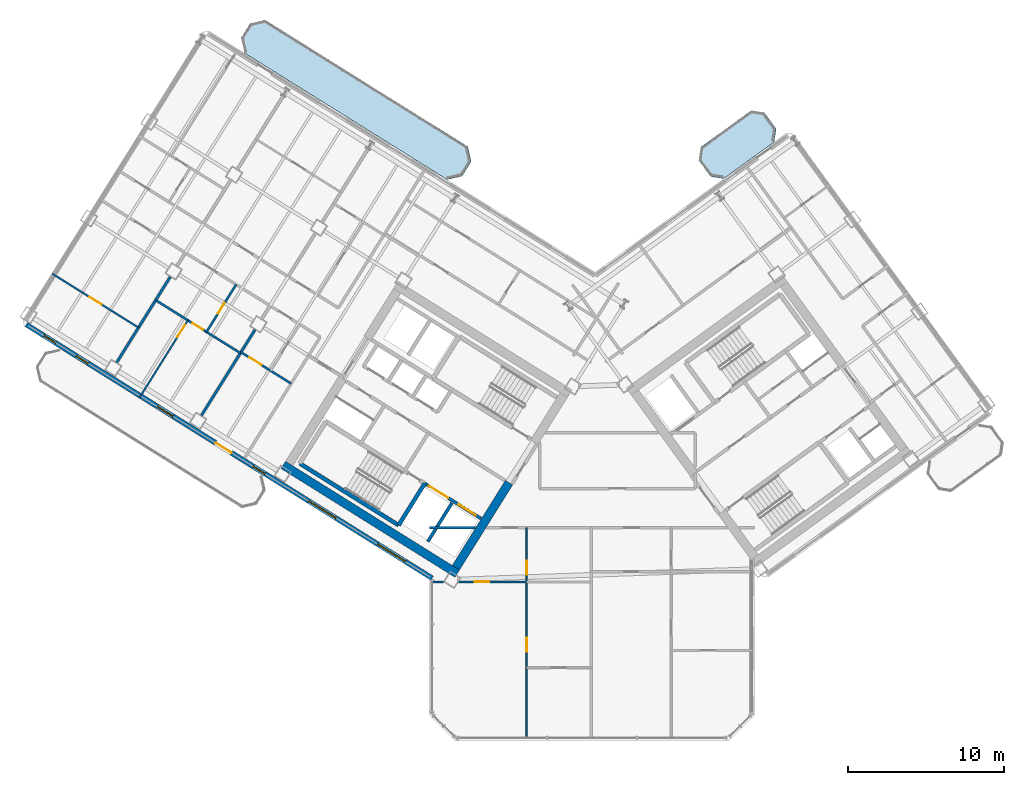
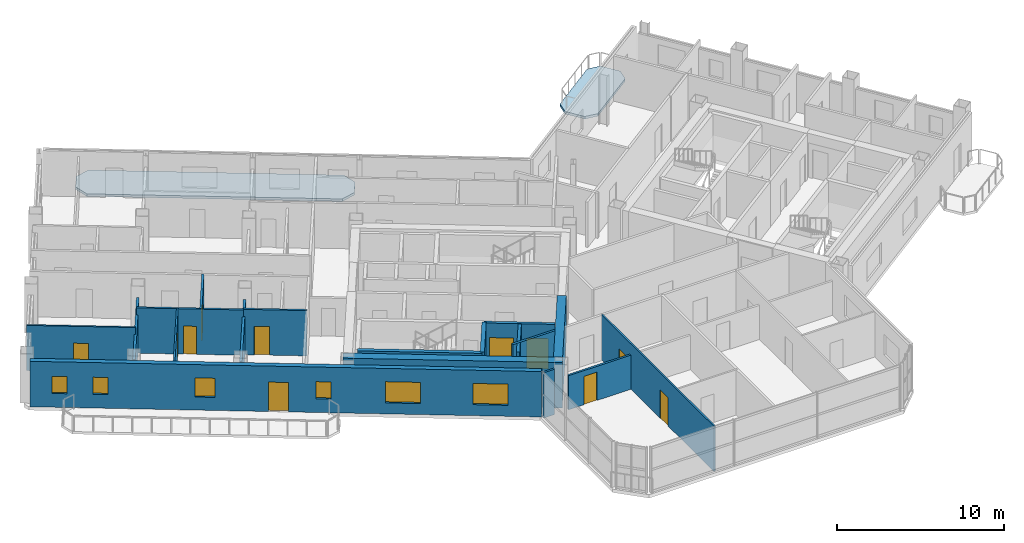
# One storey, part 11 of 21: 18 walls, 11 doors, 6 windows, 2 slabs, 17 openings.
"""IFC4 building model written with IfcOpenShell, lengths in metres."""

from ifc_helpers import new_model, si_unit, direction, frame, frame_2d, origin, place, context, subcontext, project, spatial, polyline, rectangle, outline, extrude, source, transform, mapped, material, layer, layer_set, type_object, element, fill, save


model = new_model("IFC4")

# Units and contexts
model_context = context("Model", 3, precision=1e-05, world=origin(), true_north=direction((0.0, 1.0)))
body_context = subcontext(model_context, "Body", "Model", "MODEL_VIEW")
ifc_project = project(units=[si_unit("LENGTHUNIT", "METRE"), si_unit("AREAUNIT", "SQUARE_METRE"), si_unit("VOLUMEUNIT", "CUBIC_METRE"), si_unit("PLANEANGLEUNIT", "RADIAN"), si_unit("MASSUNIT", "GRAM", prefix="KILO")], contexts=[model_context])

# Site, building, storey
site_placement = place(None, origin())
site = spatial("IfcSite", under=ifc_project, at=site_placement, CompositionType="ELEMENT")
building_placement = place(site_placement, origin())
building = spatial("IfcBuilding", under=site, at=building_placement, Name="Tlacorven Tower", CompositionType="ELEMENT")
storey_placement = place(building_placement, frame((0.0, 0.0, 191.39990234375)))
storey = spatial("IfcBuildingStorey", under=building, at=storey_placement, Name="L48", CompositionType="ELEMENT", Elevation=191.39990234375)

# Slabs
ifc_material_1 = material(Name="Precast concrete C45/55", Category="concrete")
ifc_layer_1 = layer(ifc_material_1, 0.179931640625)
ifc_layer_set_1 = layer_set([ifc_layer_1], Name="Precast concrete C45/55")
slab_type = type_object("IfcSlabType", Name="SL-BAL-180", PredefinedType="USERDEFINED", material=ifc_layer_set_1)
slab_1_placement = place(storey_placement, frame((0.0, 0.0, -0.179931640625)))
element("IfcSlab", 1, at=slab_1_placement, inside=storey, type_object=slab_type, Name="L48 West Wing Balcony Ribbon IN", ObjectType="BALCONY SLAB", PredefinedType="USERDEFINED", context=body_context, shape_type="SweptSolid", body=[
    extrude(outline(polyline([(34.0419921875, 39.835693359375), (21.06689453125, 47.943359375), (20.102294921875, 47.720703125), (19.52197265625, 46.7919921875), (19.744873046875, 45.827392578125), (32.719970703125, 37.7197265625), (33.6845703125, 37.9423828125), (34.2646484375, 38.87109375), (34.0419921875, 39.835693359375)])), origin(), (0.0, 0.0, 1.0), 0.179931640625),
])
slab_2_placement = place(storey_placement, frame((0.0, 0.0, -0.179931640625)))
element("IfcSlab", 2, at=slab_2_placement, inside=storey, type_object=slab_type, Name="L48 East Wing Balcony Ribbon IN", ObjectType="BALCONY SLAB", PredefinedType="USERDEFINED", context=body_context, shape_type="SweptSolid", body=[
    extrude(outline(polyline([(50.433837890625, 37.77880859375), (53.669921875, 40.1298828125), (53.802490234375, 40.968017578125), (53.04150390625, 42.015625), (52.203369140625, 42.1484375), (48.96728515625, 39.79736328125), (48.83447265625, 38.959228515625), (49.595703125, 37.91162109375), (50.433837890625, 37.77880859375)])), origin(), (0.0, 0.0, 1.0), 0.179931640625),
])

# Walls
ifc_material_2 = material(Name="Concrete C60/75", Category="concrete")
ifc_layer_2 = layer(ifc_material_2, 0.550048828125)
ifc_layer_set_2 = layer_set([ifc_layer_2], Name="Concrete C60/75")
wall_type_1 = type_object("IfcWallType", Name="WL-COR-550", PredefinedType="SHEAR", material=ifc_layer_set_2)
wall_1_placement = place(storey_placement, frame((33.3662109375, 12.4765625, 0.0), z_axis=(0.0, 0.0, 1.0), x_axis=(-0.848047359947, 0.529920442413, 0.0)))
element("IfcWall", 3, at=wall_1_placement, inside=storey, type_object=wall_type_1, Name="L48 W core shear wall S2", PredefinedType="SHEAR", context=body_context, shape_type="SweptSolid", body=[
    extrude(rectangle(XDim=13.139892578125, YDim=0.550048828125, at=frame_2d((6.56982421875, 0.0))), origin(), (0.0, 0.0, 1.0), 3.320068359375),
])
wall_2_placement = place(storey_placement, frame((36.683349609375, 18.30419921875, 0.0), z_axis=(0.0, 0.0, 1.0), x_axis=(-0.529896466841, -0.848062341122, 0.0)))
element("IfcWall", 4, at=wall_2_placement, inside=storey, type_object=wall_type_1, Name="L48 W core end wall E1.2", PredefinedType="SHEAR", context=body_context, shape_type="SweptSolid", body=[
    extrude(rectangle(XDim=6.4248046875, YDim=0.550048828125, at=frame_2d((3.21240234375, 0.0))), origin(), (0.0, 0.0, 1.0), 3.320068359375),
])
ifc_material_3 = material(Name="Gypsum plasterboard acoustic partition", Category="gypsum")
ifc_layer_3 = layer(ifc_material_3, 0.159912109375)
ifc_layer_set_3 = layer_set([ifc_layer_3], Name="Gypsum plasterboard acoustic partition")
wall_type_2 = type_object("IfcWallType", Name="WL-DEM-160", PredefinedType="PARTITIONING", material=ifc_layer_set_3)
wall_3_placement = place(storey_placement, frame((20.413818359375, 28.102783203125, 0.0), z_axis=(0.0, 0.0, 1.0), x_axis=(-0.529934553702, -0.848038542045, 0.0)))
element("IfcWall", 5, at=wall_3_placement, inside=storey, type_object=wall_type_2, Name="L48 WN Demising Wall 1", PredefinedType="PARTITIONING", context=body_context, shape_type="SweptSolid", body=[
    extrude(rectangle(XDim=6.47607421875, YDim=0.159912109375, at=frame_2d((3.238037109375, 0.0))), origin(), (0.0, 0.0, 1.0), 2.795166015625),
])
wall_4_placement = place(storey_placement, frame((14.986083984375, 31.494140625, 0.0), z_axis=(0.0, 0.0, 1.0), x_axis=(-0.529907440938, -0.848055484057, 0.0)))
element("IfcWall", 6, at=wall_4_placement, inside=storey, type_object=wall_type_2, Name="L48 WN Demising Wall 2", PredefinedType="PARTITIONING", context=body_context, shape_type="SweptSolid", body=[
    extrude(rectangle(XDim=6.475830078125, YDim=0.159912109375, at=frame_2d((3.23779296875, 0.0))), origin(), (0.0, 0.0, 1.0), 2.795166015625),
])
wall_5_placement = place(storey_placement, frame((31.60009765625, 15.419921875, 0.0), z_axis=(0.0, 0.0, 1.0), x_axis=(1.0, 0.0, 0.0)))
element("IfcWall", 7, at=wall_5_placement, inside=storey, type_object=wall_type_2, Name="L48 Knuckle Corridor South Wall", PredefinedType="PARTITIONING", context=body_context, shape_type="SweptSolid", body=[
    extrude(rectangle(XDim=2.925048828125, YDim=0.159912109375, at=frame_2d((1.46240234375, 0.0))), origin(), (0.0, 0.0, 1.0), 3.31005859375),
])

# Wall, openings, door, windows
ifc_layer_4 = layer(ifc_material_1, 0.320068359375)
ifc_layer_set_4 = layer_set([ifc_layer_4], Name="Precast concrete C45/55")
wall_type_3 = type_object("IfcWallType", Name="WL-EXT-320", PredefinedType="STANDARD", material=ifc_layer_set_4)
wall_6_placement = place(storey_placement, frame((31.760009765625, 12.18310546875, 0.0), z_axis=(0.0, 0.0, 1.0), x_axis=(-0.848047074256, 0.529920899612, 0.0)))
wall_6 = element("IfcWall", 8, at=wall_6_placement, inside=storey, type_object=wall_type_3, Name="L48 Masonry-Frame Recessed Facade Wall 1", PredefinedType="STANDARD", context=body_context, shape_type="SweptSolid", body=[
    extrude(rectangle(XDim=30.652099609375, YDim=0.320068359375, at=frame_2d((15.326171875, 0.0))), origin(), (0.0, 0.0, 1.0), 3.320068359375),
])
opening_1_placement = place(wall_6_placement, frame((15.165771484375, 0.0, 0.0)))
opening_1 = element("IfcOpeningElement", 9, at=opening_1_placement, cuts=wall_6, Name="Opening D05", PredefinedType="OPENING", context=body_context, shape_type="SweptSolid", body=[
    extrude(rectangle(XDim=1.199951171875, YDim=2.14990234375, at=frame_2d((0.60009765625, 1.074951171875))), frame((0.0, 0.169921875, 0.0), z_axis=(0.0, -1.0, 0.0), x_axis=(1.0, 0.0, 0.0)), (0.0, 0.0, 1.0), 0.340087890625),
])
opening_2_placement = place(wall_6_placement, frame((2.0146484375, 0.0, 0.800048828125)))
opening_2 = element("IfcOpeningElement", 10, at=opening_2_placement, cuts=wall_6, Name="Opening WN04", PredefinedType="OPENING", context=body_context, shape_type="SweptSolid", body=[
    extrude(rectangle(XDim=2.10009765625, YDim=1.550048828125, at=frame_2d((1.050048828125, 0.77490234375))), frame((0.0, 0.169921875, 0.0), z_axis=(0.0, -1.0, 0.0), x_axis=(1.0, 0.0, 0.0)), (0.0, 0.0, 1.0), 0.340087890625),
])
opening_3_placement = place(wall_6_placement, frame((7.243896484375, 0.0, 0.800048828125)))
opening_3 = element("IfcOpeningElement", 11, at=opening_3_placement, cuts=wall_6, Name="Opening WN04", PredefinedType="OPENING", context=body_context, shape_type="SweptSolid", body=[
    extrude(rectangle(XDim=2.10009765625, YDim=1.550048828125, at=frame_2d((1.050048828125, 0.77490234375))), frame((0.0, 0.169921875, 0.0), z_axis=(0.0, -1.0, 0.0), x_axis=(1.0, 0.0, 0.0)), (0.0, 0.0, 1.0), 0.340087890625),
])
opening_4_placement = place(wall_6_placement, frame((12.623291015625, 0.0, 1.0)))
opening_4 = element("IfcOpeningElement", 12, at=opening_4_placement, cuts=wall_6, Name="Opening WN05", PredefinedType="OPENING", context=body_context, shape_type="SweptSolid", body=[
    extrude(rectangle(XDim=0.89990234375, YDim=1.25, at=frame_2d((0.449951171875, 0.625))), frame((0.0, 0.169921875, 0.0), z_axis=(0.0, -1.0, 0.0), x_axis=(1.0, 0.0, 0.0)), (0.0, 0.0, 1.0), 0.340087890625),
])
opening_5_placement = place(wall_6_placement, frame((19.564697265625, 0.0, 0.949951171875)))
opening_5 = element("IfcOpeningElement", 13, at=opening_5_placement, cuts=wall_6, Name="Opening WN03", PredefinedType="OPENING", context=body_context, shape_type="SweptSolid", body=[
    extrude(rectangle(XDim=1.199951171875, YDim=1.39990234375, at=frame_2d((0.60009765625, 0.699951171875))), frame((0.0, 0.169921875, 0.0), z_axis=(0.0, -1.0, 0.0), x_axis=(1.0, 0.0, 0.0)), (0.0, 0.0, 1.0), 0.340087890625),
])
opening_6_placement = place(wall_6_placement, frame((25.9833984375, 0.0, 1.0)))
opening_6 = element("IfcOpeningElement", 14, at=opening_6_placement, cuts=wall_6, Name="Opening WN05", PredefinedType="OPENING", context=body_context, shape_type="SweptSolid", body=[
    extrude(rectangle(XDim=0.89990234375, YDim=1.25, at=frame_2d((0.449951171875, 0.625))), frame((0.0, 0.169921875, 0.0), z_axis=(0.0, -1.0, 0.0), x_axis=(1.0, 0.0, 0.0)), (0.0, 0.0, 1.0), 0.340087890625),
])
opening_7_placement = place(wall_6_placement, frame((28.433349609375, 0.0, 1.0)))
opening_7 = element("IfcOpeningElement", 15, at=opening_7_placement, cuts=wall_6, Name="Opening WN05", PredefinedType="OPENING", context=body_context, shape_type="SweptSolid", body=[
    extrude(rectangle(XDim=0.89990234375, YDim=1.25, at=frame_2d((0.449951171875, 0.625))), frame((0.0, 0.169921875, 0.0), z_axis=(0.0, -1.0, 0.0), x_axis=(1.0, 0.0, 0.0)), (0.0, 0.0, 1.0), 0.340087890625),
])
ifc_material_4 = material(Name="Powder-coated aluminium and timber door", Category="wood")
door_type_1 = type_object("IfcDoorType", Name="DR-EXT-BALC-1200", OperationType="NOTDEFINED", PredefinedType="DOOR", material=ifc_material_4)
shared_shape_1 = source(origin(), body_context, "Body", "SweptSolid", [
    extrude(rectangle(XDim=1.199951171875, YDim=2.14990234375, at=frame_2d((0.60009765625, 1.074951171875))), frame((0.0, 0.02490234375, 0.0), z_axis=(0.0, -1.0, 0.0), x_axis=(1.0, 0.0, 0.0)), (0.0, 0.0, 1.0), 0.050048828125),
])
door_1_placement = place(opening_1_placement, origin())
door_1 = element("IfcDoor", 16, at=door_1_placement, inside=storey, type_object=door_type_1, Name="L48 Outdoor Access Door BAL-L48-W-OUT", OperationType="SINGLE_SWING_LEFT", OverallHeight=2.14990234375, OverallWidth=1.199951171875, PredefinedType="DOOR", context=body_context, shape_type="MappedRepresentation", body=[
    mapped(shared_shape_1, transform((0.0, 0.0, 0.0), scale=1.0)),
])
fill(opening_1, door_1)
ifc_material_5 = material(Name="Dark solar low-E double glazing in anodised aluminium frame", Category="aluminium")
window_type_1 = type_object("IfcWindowType", Name="WN-APT-2100X1750", PartitioningType="SINGLE_PANEL", PredefinedType="WINDOW", material=ifc_material_5)
shared_shape_2 = source(origin(), body_context, "Body", "SweptSolid", [
    extrude(rectangle(XDim=2.10009765625, YDim=1.550048828125, at=frame_2d((1.050048828125, 0.77490234375))), frame((0.0, 0.030029296875, 0.0), z_axis=(0.0, -1.0, 0.0), x_axis=(1.0, 0.0, 0.0)), (0.0, 0.0, 1.0), 0.06005859375),
])
window_1_placement = place(opening_2_placement, origin())
window_1 = element("IfcWindow", 17, at=window_1_placement, inside=storey, type_object=window_type_1, Name="L48 Recessed Masonry-Frame Window L48-01.1", OverallHeight=1.550048828125, OverallWidth=2.10009765625, PartitioningType="SINGLE_PANEL", PredefinedType="WINDOW", context=body_context, shape_type="MappedRepresentation", body=[
    mapped(shared_shape_2, transform((0.0, 0.0, 0.0), scale=1.0)),
])
fill(opening_2, window_1)
window_2_placement = place(opening_3_placement, origin())
window_2 = element("IfcWindow", 18, at=window_2_placement, inside=storey, type_object=window_type_1, Name="L48 Recessed Masonry-Frame Window L48-01.2", OverallHeight=1.550048828125, OverallWidth=2.10009765625, PartitioningType="SINGLE_PANEL", PredefinedType="WINDOW", context=body_context, shape_type="MappedRepresentation", body=[
    mapped(shared_shape_2, transform((0.0, 0.0, 0.0), scale=1.0)),
])
fill(opening_3, window_2)
window_type_2 = type_object("IfcWindowType", Name="WN-APT-1200X1500", PartitioningType="SINGLE_PANEL", PredefinedType="WINDOW", material=ifc_material_5)
shared_shape_3 = source(origin(), body_context, "Body", "SweptSolid", [
    extrude(rectangle(XDim=1.199951171875, YDim=1.39990234375, at=frame_2d((0.60009765625, 0.699951171875))), frame((0.0, 0.030029296875, 0.0), z_axis=(0.0, -1.0, 0.0), x_axis=(1.0, 0.0, 0.0)), (0.0, 0.0, 1.0), 0.06005859375),
])
window_3_placement = place(opening_5_placement, origin())
window_3 = element("IfcWindow", 19, at=window_3_placement, inside=storey, type_object=window_type_2, Name="L48 Recessed Masonry-Frame Window L48-01.4", OverallHeight=1.39990234375, OverallWidth=1.199951171875, PartitioningType="SINGLE_PANEL", PredefinedType="WINDOW", context=body_context, shape_type="MappedRepresentation", body=[
    mapped(shared_shape_3, transform((0.0, 0.0, 0.0), scale=1.0)),
])
fill(opening_5, window_3)
window_type_3 = type_object("IfcWindowType", Name="WN-APT-0900X1350", PartitioningType="SINGLE_PANEL", PredefinedType="WINDOW", material=ifc_material_5)
shared_shape_4 = source(origin(), body_context, "Body", "SweptSolid", [
    extrude(rectangle(XDim=0.89990234375, YDim=1.25, at=frame_2d((0.449951171875, 0.625))), frame((0.0, 0.030029296875, 0.0), z_axis=(0.0, -1.0, 0.0), x_axis=(1.0, 0.0, 0.0)), (0.0, 0.0, 1.0), 0.06005859375),
])
window_4_placement = place(opening_4_placement, origin())
window_4 = element("IfcWindow", 20, at=window_4_placement, inside=storey, type_object=window_type_3, Name="L48 Recessed Masonry-Frame Window L48-01.3", OverallHeight=1.25, OverallWidth=0.89990234375, PartitioningType="SINGLE_PANEL", PredefinedType="WINDOW", context=body_context, shape_type="MappedRepresentation", body=[
    mapped(shared_shape_4, transform((0.0, 0.0, 0.0), scale=1.0)),
])
fill(opening_4, window_4)
window_5_placement = place(opening_6_placement, origin())
window_5 = element("IfcWindow", 21, at=window_5_placement, inside=storey, type_object=window_type_3, Name="L48 Recessed Masonry-Frame Window L48-01.5", OverallHeight=1.25, OverallWidth=0.89990234375, PartitioningType="SINGLE_PANEL", PredefinedType="WINDOW", context=body_context, shape_type="MappedRepresentation", body=[
    mapped(shared_shape_4, transform((0.0, 0.0, 0.0), scale=1.0)),
])
fill(opening_6, window_5)
window_6_placement = place(opening_7_placement, origin())
window_6 = element("IfcWindow", 22, at=window_6_placement, inside=storey, type_object=window_type_3, Name="L48 Recessed Masonry-Frame Window L48-01.6", OverallHeight=1.25, OverallWidth=0.89990234375, PartitioningType="SINGLE_PANEL", PredefinedType="WINDOW", context=body_context, shape_type="MappedRepresentation", body=[
    mapped(shared_shape_4, transform((0.0, 0.0, 0.0), scale=1.0)),
])
fill(opening_7, window_6)

# Wall, opening, door
ifc_material_6 = material(Name="Gypsum plasterboard partition", Category="gypsum")
ifc_layer_5 = layer(ifc_material_6, 0.110107421875)
ifc_layer_set_5 = layer_set([ifc_layer_5], Name="Gypsum plasterboard partition")
wall_type_4 = type_object("IfcWallType", Name="WL-INT-110", PredefinedType="PARTITIONING", material=ifc_layer_set_5)
wall_7_placement = place(storey_placement, frame((16.11181640625, 28.7060546875, 0.0), z_axis=(0.0, 0.0, 1.0), x_axis=(-0.529916267533, -0.848049968695, 0.0)))
wall_7 = element("IfcWall", 23, at=wall_7_placement, inside=storey, type_object=wall_type_4, Name="L48 partition 56", PredefinedType="PARTITIONING", context=body_context, shape_type="SweptSolid", body=[
    extrude(rectangle(XDim=5.840087890625, YDim=0.110107421875, at=frame_2d((2.919921875, 0.0))), origin(), (0.0, 0.0, 1.0), 3.31005859375),
])
opening_8_placement = place(wall_7_placement, frame((0.35009765625, 0.0, 0.0)))
opening_8 = element("IfcOpeningElement", 24, at=opening_8_placement, cuts=wall_7, Name="Opening D12", PredefinedType="OPENING", context=body_context, shape_type="SweptSolid", body=[
    extrude(rectangle(XDim=0.919921875, YDim=2.080078125, at=frame_2d((0.4599609375, 1.0400390625))), frame((0.0, 0.06494140625, 0.0), z_axis=(0.0, -1.0, 0.0), x_axis=(1.0, 0.0, 0.0)), (0.0, 0.0, 1.0), 0.130126953125),
])
door_type_2 = type_object("IfcDoorType", Name="DR-INT-ROOM-0920", OperationType="NOTDEFINED", PredefinedType="DOOR", material=ifc_material_4)
shared_shape_5 = source(origin(), body_context, "Body", "SweptSolid", [
    extrude(rectangle(XDim=0.919921875, YDim=2.080078125, at=frame_2d((0.4599609375, 1.0400390625))), frame((0.0, 0.02490234375, 0.0), z_axis=(0.0, -1.0, 0.0), x_axis=(1.0, 0.0, 0.0)), (0.0, 0.0, 1.0), 0.050048828125),
])
door_2_placement = place(opening_8_placement, origin())
door_2 = element("IfcDoor", 25, at=door_2_placement, inside=storey, type_object=door_type_2, Name="L48 door 025", OperationType="SINGLE_SWING_RIGHT", OverallHeight=2.080078125, OverallWidth=0.919921875, PredefinedType="DOOR", context=body_context, shape_type="MappedRepresentation", body=[
    mapped(shared_shape_5, transform((0.0, 0.0, 0.0), scale=1.0)),
])
fill(opening_8, door_2)

wall_8_placement = place(storey_placement, frame((12.951416015625, 28.237548828125, 0.0), z_axis=(0.0, 0.0, 1.0), x_axis=(-0.848031959833, 0.529945086874, 0.0)))
wall_8 = element("IfcWall", 26, at=wall_8_placement, inside=storey, type_object=wall_type_4, Name="L48 partition 57", PredefinedType="PARTITIONING", context=body_context, shape_type="SweptSolid", body=[
    extrude(rectangle(XDim=6.520263671875, YDim=0.110107421875, at=frame_2d((3.26025390625, 0.0))), origin(), (0.0, 0.0, 1.0), 3.31005859375),
])
opening_9_placement = place(wall_8_placement, frame((2.800048828125, 0.0, 0.0)))
opening_9 = element("IfcOpeningElement", 27, at=opening_9_placement, cuts=wall_8, Name="Opening D12", PredefinedType="OPENING", context=body_context, shape_type="SweptSolid", body=[
    extrude(rectangle(XDim=0.919921875, YDim=2.080078125, at=frame_2d((0.4599609375, 1.0400390625))), frame((0.0, 0.06494140625, 0.0), z_axis=(0.0, -1.0, 0.0), x_axis=(1.0, 0.0, 0.0)), (0.0, 0.0, 1.0), 0.130126953125),
])
door_3_placement = place(opening_9_placement, origin())
door_3 = element("IfcDoor", 28, at=door_3_placement, inside=storey, type_object=door_type_2, Name="L48 door 030", OperationType="SINGLE_SWING_LEFT", OverallHeight=2.080078125, OverallWidth=0.919921875, PredefinedType="DOOR", context=body_context, shape_type="MappedRepresentation", body=[
    mapped(shared_shape_5, transform((0.0, 0.0, 0.0), scale=1.0)),
])
fill(opening_9, door_3)

# Wall, openings, doors
wall_9_placement = place(storey_placement, frame((37.81298828125, 1.9599609375, 0.0), z_axis=(0.0, 0.0, 1.0), x_axis=(0.0, 1.0, 0.0)))
wall_9 = element("IfcWall", 29, at=wall_9_placement, inside=storey, type_object=wall_type_4, Name="L48 partition 78", PredefinedType="PARTITIONING", context=body_context, shape_type="SweptSolid", body=[
    extrude(rectangle(XDim=13.4599609375, YDim=0.110107421875, at=frame_2d((6.72998046875, 0.0))), origin(), (0.0, 0.0, 1.0), 3.31005859375),
])
opening_10_placement = place(wall_9_placement, frame((5.5, 0.0, 0.0)))
opening_10 = element("IfcOpeningElement", 30, at=opening_10_placement, cuts=wall_9, Name="Opening D12", PredefinedType="OPENING", context=body_context, shape_type="SweptSolid", body=[
    extrude(rectangle(XDim=0.919921875, YDim=2.080078125, at=frame_2d((0.4599609375, 1.0400390625))), frame((0.0, 0.06494140625, 0.0), z_axis=(0.0, -1.0, 0.0), x_axis=(1.0, 0.0, 0.0)), (0.0, 0.0, 1.0), 0.130126953125),
])
opening_11_placement = place(wall_9_placement, frame((10.449951171875, 0.0, 0.0)))
opening_11 = element("IfcOpeningElement", 31, at=opening_11_placement, cuts=wall_9, Name="Opening D13", PredefinedType="OPENING", context=body_context, shape_type="SweptSolid", body=[
    extrude(rectangle(XDim=0.8798828125, YDim=2.080078125, at=frame_2d((0.43994140625, 1.0400390625))), frame((0.0, 0.06494140625, 0.0), z_axis=(0.0, -1.0, 0.0), x_axis=(1.0, 0.0, 0.0)), (0.0, 0.0, 1.0), 0.130126953125),
])
door_type_3 = type_object("IfcDoorType", Name="DR-INT-WET-0880", OperationType="NOTDEFINED", PredefinedType="DOOR", material=ifc_material_4)
shared_shape_6 = source(origin(), body_context, "Body", "SweptSolid", [
    extrude(rectangle(XDim=0.8798828125, YDim=2.080078125, at=frame_2d((0.43994140625, 1.0400390625))), frame((0.0, 0.02490234375, 0.0), z_axis=(0.0, -1.0, 0.0), x_axis=(1.0, 0.0, 0.0)), (0.0, 0.0, 1.0), 0.050048828125),
])
door_4_placement = place(opening_11_placement, origin())
door_4 = element("IfcDoor", 32, at=door_4_placement, inside=storey, type_object=door_type_3, Name="L48 door 050", OperationType="SINGLE_SWING_LEFT", OverallHeight=2.080078125, OverallWidth=0.8798828125, PredefinedType="DOOR", context=body_context, shape_type="MappedRepresentation", body=[
    mapped(shared_shape_6, transform((0.0, 0.0, 0.0), scale=1.0)),
])
fill(opening_11, door_4)
door_5_placement = place(opening_10_placement, origin())
door_5 = element("IfcDoor", 33, at=door_5_placement, inside=storey, type_object=door_type_2, Name="L48 door 046", OperationType="SINGLE_SWING_LEFT", OverallHeight=2.080078125, OverallWidth=0.919921875, PredefinedType="DOOR", context=body_context, shape_type="MappedRepresentation", body=[
    mapped(shared_shape_5, transform((0.0, 0.0, 0.0), scale=1.0)),
])
fill(opening_10, door_5)

# Wall, opening, door
ifc_material_7 = material(Name="Moisture-resistant gypsum plumbing wall", Category="gypsum")
ifc_layer_6 = layer(ifc_material_7, 0.139892578125)
ifc_layer_set_6 = layer_set([ifc_layer_6], Name="Moisture-resistant gypsum plumbing wall")
wall_type_5 = type_object("IfcWallType", Name="WL-PLM-140", PredefinedType="PLUMBINGWALL", material=ifc_layer_set_6)
wall_10_placement = place(storey_placement, frame((22.72802734375, 24.654296875, 0.0), z_axis=(0.0, 0.0, 1.0), x_axis=(-0.848059820872, 0.529900500304, 0.0)))
wall_10 = element("IfcWall", 34, at=wall_10_placement, inside=storey, type_object=wall_type_5, Name="L48 partition 51", PredefinedType="PLUMBINGWALL", context=body_context, shape_type="SweptSolid", body=[
    extrude(rectangle(XDim=3.7900390625, YDim=0.139892578125, at=frame_2d((1.89501953125, 0.0))), origin(), (0.0, 0.0, 1.0), 3.31005859375),
])
opening_12_placement = place(wall_10_placement, frame((2.22998046875, 0.0, 0.0)))
opening_12 = element("IfcOpeningElement", 35, at=opening_12_placement, cuts=wall_10, Name="Opening D12", PredefinedType="OPENING", context=body_context, shape_type="SweptSolid", body=[
    extrude(rectangle(XDim=0.919921875, YDim=2.080078125, at=frame_2d((0.4599609375, 1.0400390625))), frame((0.0, 0.080078125, 0.0), z_axis=(0.0, -1.0, 0.0), x_axis=(1.0, 0.0, 0.0)), (0.0, 0.0, 1.0), 0.159912109375),
])
door_6_placement = place(opening_12_placement, origin())
door_6 = element("IfcDoor", 36, at=door_6_placement, inside=storey, type_object=door_type_2, Name="L48 door 023", OperationType="SINGLE_SWING_RIGHT", OverallHeight=2.080078125, OverallWidth=0.919921875, PredefinedType="DOOR", context=body_context, shape_type="MappedRepresentation", body=[
    mapped(shared_shape_5, transform((0.0, 0.0, 0.0), scale=1.0)),
])
fill(opening_12, door_6)

wall_11_placement = place(storey_placement, frame((19.476806640625, 26.603271484375, 0.0), z_axis=(0.0, 0.0, 1.0), x_axis=(-0.848039019877, 0.529933789039, 0.0)))
wall_11 = element("IfcWall", 37, at=wall_11_placement, inside=storey, type_object=wall_type_5, Name="L48 partition 54", PredefinedType="PLUMBINGWALL", context=body_context, shape_type="SweptSolid", body=[
    extrude(rectangle(XDim=6.400146484375, YDim=0.139892578125, at=frame_2d((3.2001953125, 0.0))), origin(), (0.0, 0.0, 1.0), 3.31005859375),
])
opening_13_placement = place(wall_11_placement, frame((2.823974609375, 0.0, 0.0)))
opening_13 = element("IfcOpeningElement", 38, at=opening_13_placement, cuts=wall_11, Name="Opening D22", PredefinedType="OPENING", context=body_context, shape_type="SweptSolid", body=[
    extrude(rectangle(XDim=0.780029296875, YDim=2.050048828125, at=frame_2d((0.39013671875, 1.02490234375))), frame((0.0, 0.080078125, 0.0), z_axis=(0.0, -1.0, 0.0), x_axis=(1.0, 0.0, 0.0)), (0.0, 0.0, 1.0), 0.159912109375),
])
door_type_4 = type_object("IfcDoorType", Name="DR-INT-WET-0780", OperationType="NOTDEFINED", PredefinedType="DOOR", material=ifc_material_4)
shared_shape_7 = source(origin(), body_context, "Body", "SweptSolid", [
    extrude(rectangle(XDim=0.780029296875, YDim=2.050048828125, at=frame_2d((0.39013671875, 1.02490234375))), frame((0.0, 0.02490234375, 0.0), z_axis=(0.0, -1.0, 0.0), x_axis=(1.0, 0.0, 0.0)), (0.0, 0.0, 1.0), 0.050048828125),
])
door_7_placement = place(opening_13_placement, origin())
door_7 = element("IfcDoor", 39, at=door_7_placement, inside=storey, type_object=door_type_4, Name="L48 door 027", OperationType="SINGLE_SWING_RIGHT", OverallHeight=2.050048828125, OverallWidth=0.780029296875, PredefinedType="DOOR", context=body_context, shape_type="MappedRepresentation", body=[
    mapped(shared_shape_7, transform((0.0, 0.0, 0.0), scale=1.0)),
])
fill(opening_13, door_7)

wall_12_placement = place(storey_placement, frame((19.202880859375, 30.995849609375, 0.0), z_axis=(0.0, 0.0, 1.0), x_axis=(-0.529906983049, -0.848055770169, 0.0)))
wall_12 = element("IfcWall", 40, at=wall_12_placement, inside=storey, type_object=wall_type_5, Name="L48 partition 55", PredefinedType="PLUMBINGWALL", context=body_context, shape_type="SweptSolid", body=[
    extrude(rectangle(XDim=3.579833984375, YDim=0.139892578125, at=frame_2d((1.7900390625, 0.0))), origin(), (0.0, 0.0, 1.0), 3.31005859375),
])
opening_14_placement = place(wall_12_placement, frame((1.39990234375, 0.0, 0.0)))
opening_14 = element("IfcOpeningElement", 41, at=opening_14_placement, cuts=wall_12, Name="Opening D22", PredefinedType="OPENING", context=body_context, shape_type="SweptSolid", body=[
    extrude(rectangle(XDim=0.780029296875, YDim=2.050048828125, at=frame_2d((0.39013671875, 1.02490234375))), frame((0.0, 0.080078125, 0.0), z_axis=(0.0, -1.0, 0.0), x_axis=(1.0, 0.0, 0.0)), (0.0, 0.0, 1.0), 0.159912109375),
])
door_8_placement = place(opening_14_placement, origin())
door_8 = element("IfcDoor", 42, at=door_8_placement, inside=storey, type_object=door_type_4, Name="L48 door 028", OperationType="SINGLE_SWING_LEFT", OverallHeight=2.050048828125, OverallWidth=0.780029296875, PredefinedType="DOOR", context=body_context, shape_type="MappedRepresentation", body=[
    mapped(shared_shape_7, transform((0.0, 0.0, 0.0), scale=1.0)),
])
fill(opening_14, door_8)

# Wall
wall_13_placement = place(storey_placement, frame((31.739990234375, 11.949951171875, 0.0), z_axis=(0.0, 0.0, 1.0), x_axis=(1.0, 0.0, 0.0)))
element("IfcWall", 43, at=wall_13_placement, inside=storey, type_object=wall_type_5, Name="L48 partition 79", PredefinedType="PLUMBINGWALL", context=body_context, shape_type="SweptSolid", body=[
    extrude(rectangle(XDim=0.747802734375, YDim=0.139892578125, at=frame_2d((0.3740234375, 0.0))), origin(), (0.0, 0.0, 1.0), 3.31005859375),
])

# Wall, opening, door
wall_14_placement = place(storey_placement, frame((33.446533203125, 11.949951171875, 0.0), z_axis=(0.0, 0.0, 1.0), x_axis=(1.0, 0.0, 0.0)))
wall_14 = element("IfcWall", 44, at=wall_14_placement, inside=storey, type_object=wall_type_5, Name="L48 partition 79", PredefinedType="PLUMBINGWALL", context=body_context, shape_type="SweptSolid", body=[
    extrude(rectangle(XDim=4.366455078125, YDim=0.139892578125, at=frame_2d((2.18310546875, 0.0))), origin(), (0.0, 0.0, 1.0), 2.4951171875),
])
opening_15_placement = place(wall_14_placement, frame((1.050048828125, 0.0, 0.0)))
opening_15 = element("IfcOpeningElement", 45, at=opening_15_placement, cuts=wall_14, Name="Opening D12", PredefinedType="OPENING", context=body_context, shape_type="SweptSolid", body=[
    extrude(rectangle(XDim=0.919921875, YDim=2.080078125, at=frame_2d((0.4599609375, 1.0400390625))), frame((0.0, 0.080078125, 0.0), z_axis=(0.0, -1.0, 0.0), x_axis=(1.0, 0.0, 0.0)), (0.0, 0.0, 1.0), 0.159912109375),
])
door_9_placement = place(opening_15_placement, frame((0.919921875, 0.0, 0.0), z_axis=(0.0, 0.0, 1.0), x_axis=(-1.0, 0.0, 0.0)))
door_9 = element("IfcDoor", 46, at=door_9_placement, inside=storey, type_object=door_type_2, Name="L48 door 049", OperationType="SINGLE_SWING_RIGHT", OverallHeight=2.080078125, OverallWidth=0.919921875, PredefinedType="DOOR", context=body_context, shape_type="MappedRepresentation", body=[
    mapped(shared_shape_5, transform((0.0, 0.0, 0.0), scale=1.0)),
])
fill(opening_15, door_9)

# Wall, openings, doors
ifc_material_8 = material(Name="Concrete C40/50", Category="concrete")
ifc_layer_7 = layer(ifc_material_8, 0.199951171875)
ifc_layer_set_7 = layer_set([ifc_layer_7], Name="Concrete C40/50")
wall_type_6 = type_object("IfcWallType", Name="WL-SHF-200", PredefinedType="STANDARD", material=ifc_layer_set_7)
wall_15_placement = place(storey_placement, frame((34.890625, 16.0048828125, 0.0), z_axis=(0.0, 0.0, 1.0), x_axis=(-0.848062873452, 0.529895614884, 0.0)))
wall_15 = element("IfcWall", 47, at=wall_15_placement, inside=storey, type_object=wall_type_6, Name="L48 Core W Firefighting Lift Shaft Front Wall", PredefinedType="STANDARD", context=body_context, shape_type="SweptSolid", body=[
    extrude(rectangle(XDim=4.248046875, YDim=0.199951171875, at=frame_2d((2.1240234375, 0.0))), origin(), (0.0, 0.0, 1.0), 3.31005859375),
])
opening_16_placement = place(wall_15_placement, frame((0.39794921875, 0.0, 0.0)))
opening_16 = element("IfcOpeningElement", 48, at=opening_16_placement, cuts=wall_15, Name="Opening LD03", PredefinedType="OPENING", context=body_context, shape_type="SweptSolid", body=[
    extrude(rectangle(XDim=1.300048828125, YDim=2.199951171875, at=frame_2d((0.64990234375, 1.10009765625))), frame((0.0, 0.10986328125, 0.0), z_axis=(0.0, -1.0, 0.0), x_axis=(1.0, 0.0, 0.0)), (0.0, 0.0, 1.0), 0.219970703125),
])
opening_17_placement = place(wall_15_placement, frame((2.472900390625, 0.0, 0.0)))
opening_17 = element("IfcOpeningElement", 49, at=opening_17_placement, cuts=wall_15, Name="Opening LD04", PredefinedType="OPENING", context=body_context, shape_type="SweptSolid", body=[
    extrude(rectangle(XDim=1.449951171875, YDim=2.25, at=frame_2d((0.72509765625, 1.125))), frame((0.0, 0.10986328125, 0.0), z_axis=(0.0, -1.0, 0.0), x_axis=(1.0, 0.0, 0.0)), (0.0, 0.0, 1.0), 0.219970703125),
])
ifc_material_9 = material(Name="Fire-rated steel door assembly", Category="steel")
door_type_5 = type_object("IfcDoorType", Name="DR-LFT-SLID-1300", OperationType="DOUBLE_DOOR_SLIDING", PredefinedType="DOOR", material=ifc_material_9)
shared_shape_8 = source(origin(), body_context, "Body", "SweptSolid", [
    extrude(rectangle(XDim=1.300048828125, YDim=2.199951171875, at=frame_2d((0.64990234375, 1.10009765625))), frame((0.0, 0.02490234375, 0.0), z_axis=(0.0, -1.0, 0.0), x_axis=(1.0, 0.0, 0.0)), (0.0, 0.0, 1.0), 0.050048828125),
])
door_10_placement = place(opening_16_placement, origin())
door_10 = element("IfcDoor", 50, at=door_10_placement, inside=storey, type_object=door_type_5, Name="L48 Lift FFL-W1 Sliding Landing Door", OperationType="DOUBLE_DOOR_SLIDING", OverallHeight=2.199951171875, OverallWidth=1.300048828125, PredefinedType="DOOR", context=body_context, shape_type="MappedRepresentation", body=[
    mapped(shared_shape_8, transform((0.0, 0.0, 0.0), scale=1.0)),
])
fill(opening_16, door_10)
door_type_6 = type_object("IfcDoorType", Name="DR-LFT-SLID-1450", OperationType="DOUBLE_DOOR_SLIDING", PredefinedType="DOOR", material=ifc_material_9)
shared_shape_9 = source(origin(), body_context, "Body", "SweptSolid", [
    extrude(rectangle(XDim=1.449951171875, YDim=2.25, at=frame_2d((0.72509765625, 1.125))), frame((0.0, 0.02490234375, 0.0), z_axis=(0.0, -1.0, 0.0), x_axis=(1.0, 0.0, 0.0)), (0.0, 0.0, 1.0), 0.050048828125),
])
door_11_placement = place(opening_17_placement, origin())
door_11 = element("IfcDoor", 51, at=door_11_placement, inside=storey, type_object=door_type_6, Name="L48 Lift SVL-W1 Sliding Landing Door", OperationType="DOUBLE_DOOR_SLIDING", OverallHeight=2.25, OverallWidth=1.449951171875, PredefinedType="DOOR", context=body_context, shape_type="MappedRepresentation", body=[
    mapped(shared_shape_9, transform((0.0, 0.0, 0.0), scale=1.0)),
])
fill(opening_17, door_11)

# Walls
wall_16_placement = place(storey_placement, frame((33.02880859375, 17.003173828125, 0.0), z_axis=(0.0, 0.0, 1.0), x_axis=(-0.529916267533, -0.848049968695, 0.0)))
element("IfcWall", 52, at=wall_16_placement, inside=storey, type_object=wall_type_6, Name="L48 partition 14", PredefinedType="STANDARD", context=body_context, shape_type="SweptSolid", body=[
    extrude(rectangle(XDim=2.919921875, YDim=0.199951171875, at=frame_2d((1.4599609375, 0.0))), origin(), (0.0, 0.0, 1.0), 3.31005859375),
])
ifc_material_10 = material(Name="Concrete C50/60", Category="concrete")
ifc_layer_8 = layer(ifc_material_10, 0.260009765625)
ifc_layer_set_8 = layer_set([ifc_layer_8], Name="Concrete C50/60")
wall_type_7 = type_object("IfcWallType", Name="WL-STW-260", PredefinedType="SHEAR", material=ifc_layer_set_8)
wall_17_placement = place(storey_placement, frame((29.60498046875, 15.581298828125, 0.0), z_axis=(0.0, 0.0, 1.0), x_axis=(-0.848036911448, 0.529937163087, 0.0)))
element("IfcWall", 53, at=wall_17_placement, inside=storey, type_object=wall_type_7, Name="L48 Stair W1 Far Shear Wall", PredefinedType="SHEAR", context=body_context, shape_type="SweptSolid", body=[
    extrude(rectangle(XDim=7.4599609375, YDim=0.260009765625, at=frame_2d((3.72998046875, 0.0))), origin(), (0.0, 0.0, 1.0), 3.320068359375),
])
wall_18_placement = place(storey_placement, frame((31.2880859375, 18.255859375, 0.0), z_axis=(0.0, 0.0, 1.0), x_axis=(-0.529943379326, -0.848033026897, 0.0)))
element("IfcWall", 54, at=wall_18_placement, inside=storey, type_object=wall_type_7, Name="L48 Stair W1 West Shear Wall", PredefinedType="SHEAR", context=body_context, shape_type="SweptSolid", body=[
    extrude(rectangle(XDim=3.159912109375, YDim=0.260009765625, at=frame_2d((1.580078125, 0.0))), origin(), (0.0, 0.0, 1.0), 3.320068359375),
])

save(model, "model.ifc")
